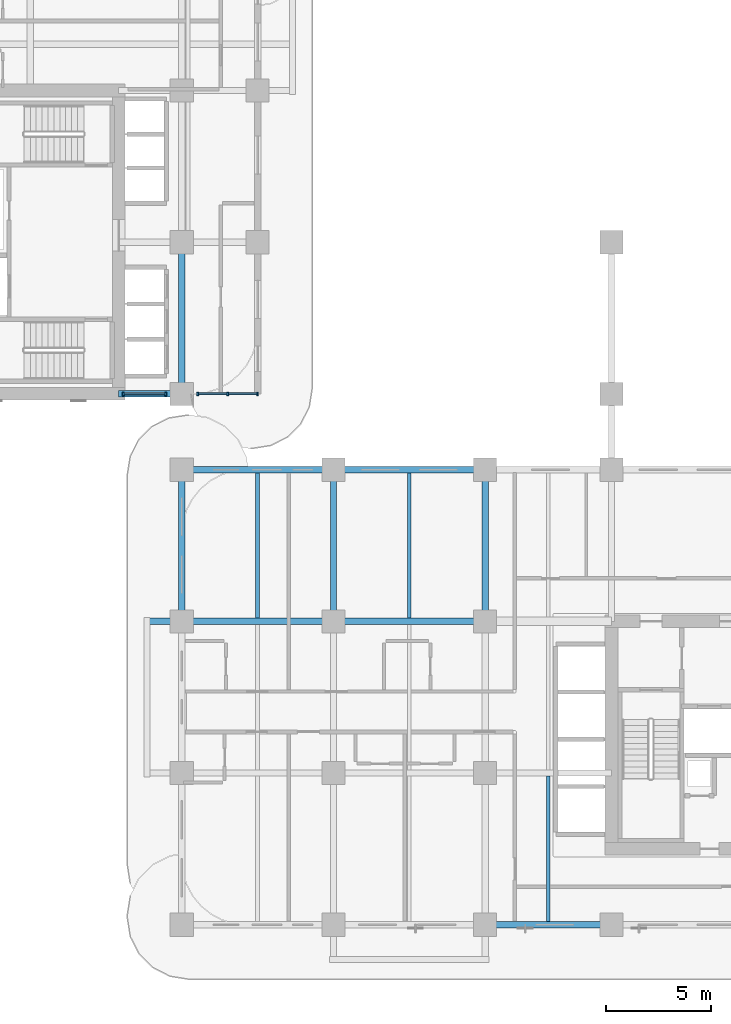
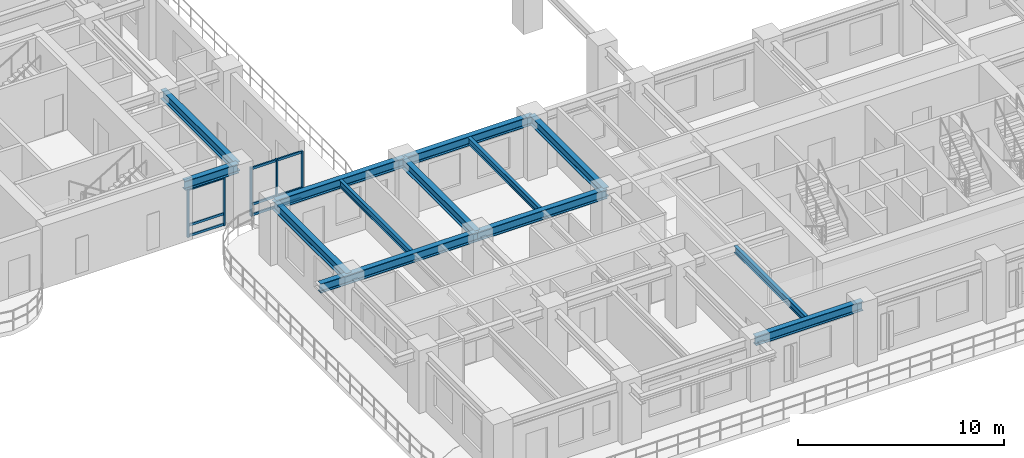
# One storey, part 2 of 19: 14 members, 13 beams, 2 elements without a shape of their own.
"""IFC4 building model written with IfcOpenShell, lengths in metres."""

from ifc_helpers import new_model, si_unit, derived_unit, direction, frame, origin, origin_2d, place, context, subcontext, project, spatial, rectangle, i_section, extrude, source, transform, mapped, material, layer, layer_set, material_profile, profile_set, type_object, type_shapes, element, aggregate, save


model = new_model("IFC4")

# Units and contexts
model_context = context("Model", 3, precision=1e-05, world=origin(), true_north=direction((0.0, 1.0)))
body_context = subcontext(model_context, "Body", "Model", "MODEL_VIEW")
ifc_project = project(units=[si_unit("LENGTHUNIT", "METRE"), si_unit("AREAUNIT", "SQUARE_METRE"), si_unit("VOLUMEUNIT", "CUBIC_METRE"), si_unit("PLANEANGLEUNIT", "RADIAN"), si_unit("MASSUNIT", "GRAM", prefix="KILO"), si_unit("THERMODYNAMICTEMPERATUREUNIT", "KELVIN"), si_unit("POWERUNIT", "WATT"), derived_unit("THERMALTRANSMITTANCEUNIT", [(si_unit("POWERUNIT", "WATT"), 1), (si_unit("AREAUNIT", "SQUARE_METRE"), -1), (si_unit("THERMODYNAMICTEMPERATUREUNIT", "KELVIN"), -1)])], contexts=[model_context])

# Site, building, storey
site_placement = place(None, origin())
site = spatial("IfcSite", under=ifc_project, at=site_placement, CompositionType="ELEMENT")
building_placement = place(site_placement, origin())
building = spatial("IfcBuilding", under=site, at=building_placement, Name="Zahravan Archway Hotel and Residences", CompositionType="ELEMENT")
storey_placement = place(building_placement, frame((0.0, 0.0, 32.39990234375)))
storey = spatial("IfcBuildingStorey", under=building, at=storey_placement, Name="L06", CompositionType="ELEMENT", Elevation=32.39990234375)

# Beams
ifc_material_1 = material(Name="Structural Steel S355JR", Category="steel")
ifc_material_profile_1 = material_profile(ifc_material_1, i_section(OverallWidth=0.300048828125, OverallDepth=0.550048828125, WebThickness=0.014892578125, FlangeThickness=0.029052734375, FilletRadius=0.027099609375, at=origin_2d()), Name="HEB 550", Category="steel")
ifc_profile_set_1 = profile_set([ifc_material_profile_1], Name="Structural Steel S355JR")
beam_type_1 = type_object("IfcBeamType", Name="BM-PRI-HEB550", PredefinedType="BEAM", material=ifc_profile_set_1)
shared_shape_1 = source(origin(), body_context, "Body", "SweptSolid", [
    extrude(i_section(OverallWidth=0.300048828125, OverallDepth=0.550048828125, WebThickness=0.014892578125, FlangeThickness=0.029052734375, FilletRadius=0.027099609375, at=origin_2d()), origin(), (0.0, 0.0, 1.0), 7.2001953125),
])
type_shapes(beam_type_1, [shared_shape_1])
for number, where, z_axis, x_axis, name in (
    (1, (14.39990234375, 21.60009765625, 3.175048828125), (1.0, 0.0, 0.0), (0.0, 1.0, 0.0), "L06 Primary Girder EW-14"),
    (2, (14.39990234375, 14.39990234375, 3.175048828125), (0.0, 1.0, 0.0), (-1.0, 0.0, 0.0), "L06 Primary Girder NS-33"),
    (3, (21.60009765625, 14.39990234375, 3.175048828125), (0.0, 1.0, 0.0), (-1.0, 0.0, 0.0), "L06 Primary Girder NS-39"),
    (4, (28.800048828125, 14.39990234375, 3.175048828125), (0.0, 1.0, 0.0), (-1.0, 0.0, 0.0), "L06 Primary Girder NS-42"),
):
    element("IfcBeam", number, at=place(storey_placement, frame(where, z_axis=z_axis, x_axis=x_axis)), inside=storey, type_object=beam_type_1, Name=name, PredefinedType="BEAM", context=body_context, shape_type="MappedRepresentation", body=[
        mapped(shared_shape_1, transform((0.0, 0.0, 0.0), scale=1.0)),
    ])
shared_shape_2 = source(origin(), body_context, "Body", "SweptSolid", [
    extrude(i_section(OverallWidth=0.300048828125, OverallDepth=0.550048828125, WebThickness=0.014892578125, FlangeThickness=0.029052734375, FilletRadius=0.027099609375, at=origin_2d()), origin(), (0.0, 0.0, 1.0), 7.199951171875),
])
for number, where, z_axis, x_axis, name in (
    (5, (21.60009765625, 14.39990234375, 3.175048828125), (1.0, 0.0, 0.0), (0.0, 1.0, 0.0), "L06 Primary Girder EW-12"),
    (6, (21.60009765625, 21.60009765625, 3.175048828125), (1.0, 0.0, 0.0), (0.0, 1.0, 0.0), "L06 Primary Girder EW-15"),
    (7, (14.39990234375, 25.199951171875, 3.175048828125), (0.0, 1.0, 0.0), (-1.0, 0.0, 0.0), "L06 Primary Girder NS-34"),
):
    element("IfcBeam", number, at=place(storey_placement, frame(where, z_axis=z_axis, x_axis=x_axis)), inside=storey, type_object=beam_type_1, Name=name, PredefinedType="BEAM", context=body_context, shape_type="MappedRepresentation", body=[
        mapped(shared_shape_2, transform((0.0, 0.0, 0.0), scale=1.0)),
    ])
shared_shape_3 = source(origin(), body_context, "Body", "SweptSolid", [
    extrude(i_section(OverallWidth=0.300048828125, OverallDepth=0.550048828125, WebThickness=0.014892578125, FlangeThickness=0.029052734375, FilletRadius=0.027099609375, at=origin_2d()), origin(), (0.0, 0.0, 1.0), 6.0),
])
beam_1_placement = place(storey_placement, frame((28.800048828125, 0.0, 3.175048828125), z_axis=(1.0, 0.0, 0.0), x_axis=(0.0, 1.0, 0.0)))
element("IfcBeam", 8, at=beam_1_placement, inside=storey, type_object=beam_type_1, Name="L06 Primary Girder EW-03", PredefinedType="BEAM", context=body_context, shape_type="MappedRepresentation", body=[
    mapped(shared_shape_3, transform((0.0, 0.0, 0.0), scale=1.0)),
])
shared_shape_4 = source(origin(), body_context, "Body", "SweptSolid", [
    extrude(i_section(OverallWidth=0.300048828125, OverallDepth=0.550048828125, WebThickness=0.014892578125, FlangeThickness=0.029052734375, FilletRadius=0.027099609375, at=origin_2d()), origin(), (0.0, 0.0, 1.0), 8.85009765625),
])
beam_2_placement = place(storey_placement, frame((12.75, 14.39990234375, 3.175048828125), z_axis=(1.0, 0.0, 0.0), x_axis=(0.0, 1.0, 0.0)))
element("IfcBeam", 9, at=beam_2_placement, inside=storey, type_object=beam_type_1, Name="L06 Primary Girder EW-11", PredefinedType="BEAM", context=body_context, shape_type="MappedRepresentation", body=[
    mapped(shared_shape_4, transform((0.0, 0.0, 0.0), scale=1.0)),
])
shared_shape_5 = source(origin(), body_context, "Body", "SweptSolid", [
    extrude(i_section(OverallWidth=0.300048828125, OverallDepth=0.550048828125, WebThickness=0.014892578125, FlangeThickness=0.029052734375, FilletRadius=0.027099609375, at=origin_2d()), origin(), (0.0, 0.0, 1.0), 3.0),
])
beam_3_placement = place(storey_placement, frame((11.39990234375, 25.199951171875, 3.175048828125), z_axis=(1.0, 0.0, 0.0), x_axis=(0.0, 1.0, 0.0)))
element("IfcBeam", 10, at=beam_3_placement, inside=storey, type_object=beam_type_1, Name="L06 Primary Girder EW-20", PredefinedType="BEAM", context=body_context, shape_type="MappedRepresentation", body=[
    mapped(shared_shape_5, transform((0.0, 0.0, 0.0), scale=1.0)),
])
ifc_material_profile_2 = material_profile(ifc_material_1, i_section(OverallWidth=0.179931640625, OverallDepth=0.39990234375, WebThickness=0.008544921875, FlangeThickness=0.013427734375, FilletRadius=0.02099609375, at=origin_2d()), Name="IPE 400", Category="steel")
ifc_profile_set_2 = profile_set([ifc_material_profile_2], Name="Structural Steel S355JR")
beam_type_2 = type_object("IfcBeamType", Name="BM-JST-IPE400", PredefinedType="JOIST", material=ifc_profile_set_2)
shared_shape_6 = source(origin(), body_context, "Body", "SweptSolid", [
    extrude(i_section(OverallWidth=0.179931640625, OverallDepth=0.39990234375, WebThickness=0.008544921875, FlangeThickness=0.013427734375, FilletRadius=0.02099609375, at=origin_2d()), origin(), (0.0, 0.0, 1.0), 6.904052734375),
])
type_shapes(beam_type_2, [shared_shape_6])
beam_4_placement = place(storey_placement, frame((31.800048828125, 0.14794921875, 3.25), z_axis=(0.0, 1.0, 0.0), x_axis=(-1.0, 0.0, 0.0)))
element("IfcBeam", 11, at=beam_4_placement, inside=storey, type_object=beam_type_2, Name="L06 Composite Floor Joist 03", PredefinedType="JOIST", context=body_context, shape_type="MappedRepresentation", body=[
    mapped(shared_shape_6, transform((0.0, 0.0, 0.0), scale=1.0)),
])
shared_shape_7 = source(origin(), body_context, "Body", "SweptSolid", [
    extrude(i_section(OverallWidth=0.179931640625, OverallDepth=0.39990234375, WebThickness=0.008544921875, FlangeThickness=0.013427734375, FilletRadius=0.02099609375, at=origin_2d()), origin(), (0.0, 0.0, 1.0), 6.90380859375),
])
for number, where, z_axis, x_axis, name in (
    (12, (18.0, 14.548095703125, 3.25), (0.0, 1.0, 0.0), (-1.0, 0.0, 0.0), "L06 Composite Floor Joist 10"),
    (13, (25.199951171875, 14.548095703125, 3.25), (0.0, 1.0, 0.0), (-1.0, 0.0, 0.0), "L06 Composite Floor Joist 11"),
):
    element("IfcBeam", number, at=place(storey_placement, frame(where, z_axis=z_axis, x_axis=x_axis)), inside=storey, type_object=beam_type_2, Name=name, PredefinedType="JOIST", context=body_context, shape_type="MappedRepresentation", body=[
        mapped(shared_shape_7, transform((0.0, 0.0, 0.0), scale=1.0)),
    ])

# Curtain wall, members
ifc_material_2 = material(Name="Bronze-Anodized Unitised Aluminium & Low-E Glass", Category="aluminium")
ifc_layer = layer(ifc_material_2, 0.179931640625, Name="Bronze-Anodized Unitised Aluminium & Low-E Glass", Category="aluminium")
ifc_layer_set = layer_set([ifc_layer], Name="Bronze-Anodized Unitised Aluminium & Low-E Glass")
curtain_wall_type = type_object("IfcCurtainWallType", Name="CW-ATR-GLAZ", PredefinedType="NOTDEFINED", material=ifc_layer_set)
curtain_wall_1_placement = place(storey_placement, origin())
curtain_wall_1 = element("IfcCurtainWall", 14, at=curtain_wall_1_placement, inside=storey, type_object=curtain_wall_type, Name="L06 Curtain Wall CW-L06-WB-SE-2", PredefinedType="NOTDEFINED")
ifc_material_3 = material(Name="Bronze-Anodized Extruded Aluminium", Category="aluminium")
ifc_material_profile_3 = material_profile(ifc_material_3, rectangle(XDim=0.080078125, YDim=0.139892578125, at=origin_2d()), Name="TRN 80x140", Category="aluminium")
ifc_profile_set_3 = profile_set([ifc_material_profile_3], Name="Bronze-Anodized Extruded Aluminium")
member_type_1 = type_object("IfcMemberType", Name="CWM-TRN-140", PredefinedType="USERDEFINED", material=ifc_profile_set_3)
shared_shape_8 = source(origin(), body_context, "Body", "SweptSolid", [
    extrude(rectangle(XDim=0.080078125, YDim=0.139892578125, at=origin_2d()), origin(), (0.0, 0.0, 1.0), 1.33984375),
])
member_1_placement = place(storey_placement, frame((16.6201171875, 25.199951171875, 0.070068359375), z_axis=(1.0, 0.0, 0.0), x_axis=(0.0, 1.0, 0.0)))
member_1 = element("IfcMember", 15, at=member_1_placement, type_object=member_type_1, Name="CW-L06-WB-SE-2 Transom 1-1", ObjectType="TRANSOM", PredefinedType="USERDEFINED", context=body_context, shape_type="MappedRepresentation", body=[
    mapped(shared_shape_8, transform((0.0, 0.0, 0.0), scale=1.0)),
])
member_2_placement = place(storey_placement, frame((16.6201171875, 25.199951171875, 0.6923828125), z_axis=(1.0, 0.0, 0.0), x_axis=(0.0, 1.0, 0.0)))
member_2 = element("IfcMember", 16, at=member_2_placement, type_object=member_type_1, Name="CW-L06-WB-SE-2 Transom 1-2", ObjectType="TRANSOM", PredefinedType="USERDEFINED", context=body_context, shape_type="MappedRepresentation", body=[
    mapped(shared_shape_8, transform((0.0, 0.0, 0.0), scale=1.0)),
])
member_3_placement = place(storey_placement, frame((16.6201171875, 25.199951171875, 2.815185546875), z_axis=(1.0, 0.0, 0.0), x_axis=(0.0, 1.0, 0.0)))
member_3 = element("IfcMember", 17, at=member_3_placement, type_object=member_type_1, Name="CW-L06-WB-SE-2 Transom 1-3", ObjectType="TRANSOM", PredefinedType="USERDEFINED", context=body_context, shape_type="MappedRepresentation", body=[
    mapped(shared_shape_8, transform((0.0, 0.0, 0.0), scale=1.0)),
])
shared_shape_9 = source(origin(), body_context, "Body", "SweptSolid", [
    extrude(rectangle(XDim=0.080078125, YDim=0.139892578125, at=origin_2d()), origin(), (0.0, 0.0, 1.0), 1.340087890625),
])
member_4_placement = place(storey_placement, frame((15.199951171875, 25.199951171875, 0.070068359375), z_axis=(1.0, 0.0, 0.0), x_axis=(0.0, 1.0, 0.0)))
member_4 = element("IfcMember", 18, at=member_4_placement, type_object=member_type_1, Name="CW-L06-WB-SE-2 Transom 0-1", ObjectType="TRANSOM", PredefinedType="USERDEFINED", context=body_context, shape_type="MappedRepresentation", body=[
    mapped(shared_shape_9, transform((0.0, 0.0, 0.0), scale=1.0)),
])
member_5_placement = place(storey_placement, frame((15.199951171875, 25.199951171875, 0.6923828125), z_axis=(1.0, 0.0, 0.0), x_axis=(0.0, 1.0, 0.0)))
member_5 = element("IfcMember", 19, at=member_5_placement, type_object=member_type_1, Name="CW-L06-WB-SE-2 Transom 0-2", ObjectType="TRANSOM", PredefinedType="USERDEFINED", context=body_context, shape_type="MappedRepresentation", body=[
    mapped(shared_shape_9, transform((0.0, 0.0, 0.0), scale=1.0)),
])
member_6_placement = place(storey_placement, frame((15.199951171875, 25.199951171875, 2.815185546875), z_axis=(1.0, 0.0, 0.0), x_axis=(0.0, 1.0, 0.0)))
member_6 = element("IfcMember", 20, at=member_6_placement, type_object=member_type_1, Name="CW-L06-WB-SE-2 Transom 0-3", ObjectType="TRANSOM", PredefinedType="USERDEFINED", context=body_context, shape_type="MappedRepresentation", body=[
    mapped(shared_shape_9, transform((0.0, 0.0, 0.0), scale=1.0)),
])

curtain_wall_2_placement = place(storey_placement, origin())
curtain_wall_2 = element("IfcCurtainWall", 21, at=curtain_wall_2_placement, inside=storey, type_object=curtain_wall_type, Name="L06 Curtain Wall CW-L06-WB-SE-1", PredefinedType="NOTDEFINED")
ifc_material_profile_4 = material_profile(ifc_material_3, rectangle(XDim=0.080078125, YDim=0.159912109375, at=origin_2d()), Name="MUL 80x160", Category="aluminium")
ifc_profile_set_4 = profile_set([ifc_material_profile_4], Name="Bronze-Anodized Extruded Aluminium")
member_type_2 = type_object("IfcMemberType", Name="CWM-MUL-160", PredefinedType="MULLION", material=ifc_profile_set_4)
shared_shape_10 = source(origin(), body_context, "Body", "SweptSolid", [
    extrude(rectangle(XDim=0.080078125, YDim=0.159912109375, at=origin_2d()), origin(), (0.0, 0.0, 1.0), 2.885009765625),
])
member_7_placement = place(storey_placement, frame((11.6201171875, 25.199951171875, 0.0), z_axis=(0.0, 0.0, 1.0), x_axis=(1.0, 0.0, 0.0)))
member_7 = element("IfcMember", 22, at=member_7_placement, type_object=member_type_2, Name="CW-L06-WB-SE-1 Mullion 0", PredefinedType="MULLION", context=body_context, shape_type="MappedRepresentation", body=[
    mapped(shared_shape_10, transform((0.0, 0.0, 0.0), scale=1.0)),
])
member_8_placement = place(storey_placement, frame((13.639892578125, 25.199951171875, 0.0), z_axis=(0.0, 0.0, 1.0), x_axis=(1.0, 0.0, 0.0)))
member_8 = element("IfcMember", 23, at=member_8_placement, type_object=member_type_2, Name="CW-L06-WB-SE-1 Mullion 1", PredefinedType="MULLION", context=body_context, shape_type="MappedRepresentation", body=[
    mapped(shared_shape_10, transform((0.0, 0.0, 0.0), scale=1.0)),
])

# Member
member_9_placement = place(storey_placement, frame((15.159912109375, 25.199951171875, 0.0), z_axis=(0.0, 0.0, 1.0), x_axis=(1.0, 0.0, 0.0)))
member_9 = element("IfcMember", 24, at=member_9_placement, type_object=member_type_2, Name="CW-L06-WB-SE-2 Mullion 0", PredefinedType="MULLION", context=body_context, shape_type="MappedRepresentation", body=[
    mapped(shared_shape_10, transform((0.0, 0.0, 0.0), scale=1.0)),
])

member_10_placement = place(storey_placement, frame((16.580078125, 25.199951171875, 0.0), z_axis=(0.0, 0.0, 1.0), x_axis=(1.0, 0.0, 0.0)))
member_10 = element("IfcMember", 25, at=member_10_placement, type_object=member_type_2, Name="CW-L06-WB-SE-2 Mullion 1", PredefinedType="MULLION", context=body_context, shape_type="MappedRepresentation", body=[
    mapped(shared_shape_10, transform((0.0, 0.0, 0.0), scale=1.0)),
])

member_11_placement = place(storey_placement, frame((18.0, 25.199951171875, 0.0), z_axis=(0.0, 0.0, 1.0), x_axis=(1.0, 0.0, 0.0)))
member_11 = element("IfcMember", 26, at=member_11_placement, type_object=member_type_2, Name="CW-L06-WB-SE-2 Mullion 2", PredefinedType="MULLION", context=body_context, shape_type="MappedRepresentation", body=[
    mapped(shared_shape_10, transform((0.0, 0.0, 0.0), scale=1.0)),
])

aggregate(curtain_wall_1, [member_9, member_10, member_11, member_4, member_5, member_6, member_1, member_2, member_3])

shared_shape_11 = source(origin(), body_context, "Body", "SweptSolid", [
    extrude(rectangle(XDim=0.080078125, YDim=0.139892578125, at=origin_2d()), origin(), (0.0, 0.0, 1.0), 1.940185546875),
])
member_12_placement = place(storey_placement, frame((11.659912109375, 25.199951171875, 0.070068359375), z_axis=(1.0, 0.0, 0.0), x_axis=(0.0, 1.0, 0.0)))
member_12 = element("IfcMember", 27, at=member_12_placement, type_object=member_type_1, Name="CW-L06-WB-SE-1 Transom 0-1", ObjectType="TRANSOM", PredefinedType="USERDEFINED", context=body_context, shape_type="MappedRepresentation", body=[
    mapped(shared_shape_11, transform((0.0, 0.0, 0.0), scale=1.0)),
])

member_13_placement = place(storey_placement, frame((11.659912109375, 25.199951171875, 0.6923828125), z_axis=(1.0, 0.0, 0.0), x_axis=(0.0, 1.0, 0.0)))
member_13 = element("IfcMember", 28, at=member_13_placement, type_object=member_type_1, Name="CW-L06-WB-SE-1 Transom 0-2", ObjectType="TRANSOM", PredefinedType="USERDEFINED", context=body_context, shape_type="MappedRepresentation", body=[
    mapped(shared_shape_11, transform((0.0, 0.0, 0.0), scale=1.0)),
])

member_14_placement = place(storey_placement, frame((11.659912109375, 25.199951171875, 2.815185546875), z_axis=(1.0, 0.0, 0.0), x_axis=(0.0, 1.0, 0.0)))
member_14 = element("IfcMember", 29, at=member_14_placement, type_object=member_type_1, Name="CW-L06-WB-SE-1 Transom 0-3", ObjectType="TRANSOM", PredefinedType="USERDEFINED", context=body_context, shape_type="MappedRepresentation", body=[
    mapped(shared_shape_11, transform((0.0, 0.0, 0.0), scale=1.0)),
])

aggregate(curtain_wall_2, [member_7, member_8, member_12, member_13, member_14])

save(model, "model.ifc")
